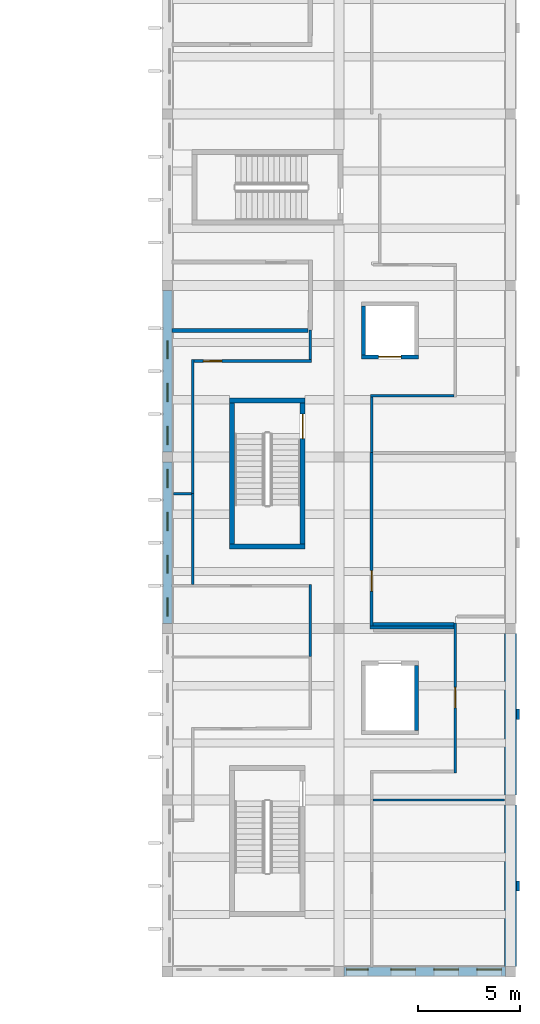
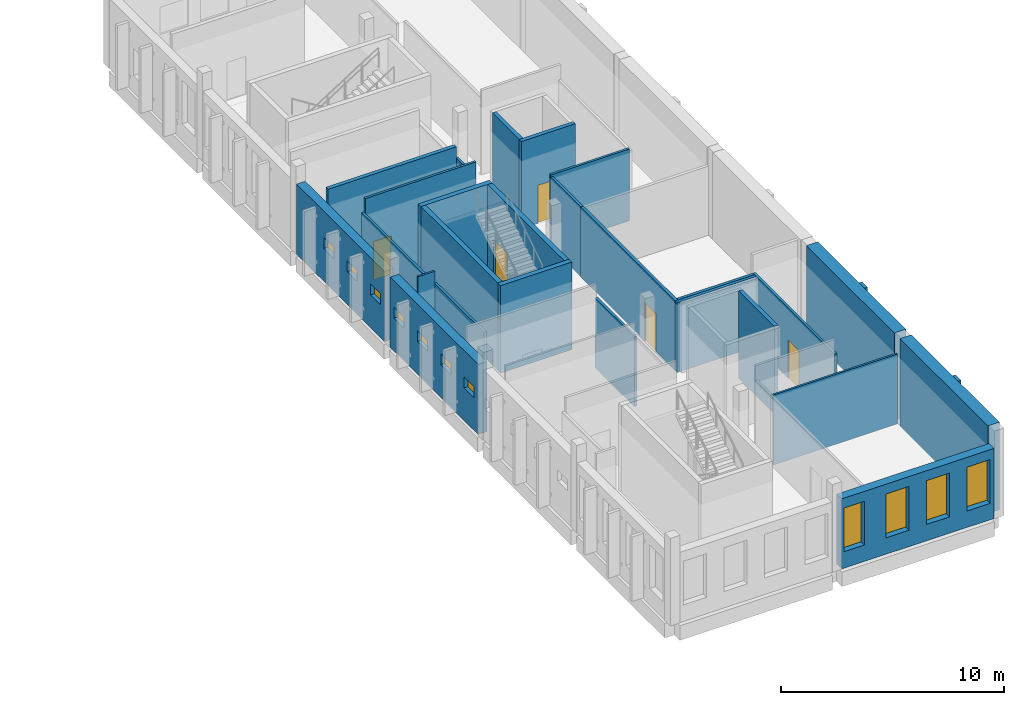
# One storey, part 10 of 37: 28 walls, 11 windows, 5 doors, 16 openings.
"""IFC4 building model written with IfcOpenShell, lengths in metres."""

from ifc_helpers import new_model, si_unit, direction, frame, frame_2d, origin, place, context, subcontext, project, spatial, rectangle, extrude, material, layer, layer_set, type_object, element, fill, save


model = new_model("IFC4")

# Units and contexts
model_context = context("Model", 3, precision=1e-05, world=origin(), true_north=direction((0.0, 1.0)))
body_context = subcontext(model_context, "Body", "Model", "MODEL_VIEW")
ifc_project = project(units=[si_unit("LENGTHUNIT", "METRE"), si_unit("AREAUNIT", "SQUARE_METRE"), si_unit("VOLUMEUNIT", "CUBIC_METRE"), si_unit("PLANEANGLEUNIT", "RADIAN"), si_unit("MASSUNIT", "GRAM", prefix="KILO")], contexts=[model_context])

# Site, building, storey
site_placement = place(None, origin())
site = spatial("IfcSite", under=ifc_project, at=site_placement, CompositionType="ELEMENT")
building_placement = place(site_placement, origin())
building = spatial("IfcBuilding", under=site, at=building_placement, Name="Larchfold Concert Hall", CompositionType="ELEMENT")
storey_placement = place(building_placement, frame((0.0, 0.0, 19.199951171875)))
storey = spatial("IfcBuildingStorey", under=building, at=storey_placement, Name="L04", CompositionType="ELEMENT", Elevation=19.199951171875)

# Wall
ifc_material_1 = material(Name="Plasterboard partition on steel studs", Category="steel")
ifc_layer_1 = layer(ifc_material_1, 0.199951171875)
ifc_layer_set_1 = layer_set([ifc_layer_1], Name="Plasterboard partition on steel studs")
wall_type_1 = type_object("IfcWallType", Name="Acoustic partition 200", PredefinedType="PARTITIONING", material=ifc_layer_set_1)
wall_1_placement = place(storey_placement, frame((84.8251953125, 32.0, 0.0), z_axis=(0.0, 0.0, 1.0), x_axis=(1.0, 0.0, 0.0)))
element("IfcWall", 1, at=wall_1_placement, inside=storey, type_object=wall_type_1, Name="Partition IW0048", PredefinedType="PARTITIONING", context=body_context, shape_type="SweptSolid", body=[
    extrude(rectangle(XDim=6.669921875, YDim=0.199951171875, at=frame_2d((3.3349609375, 0.0))), origin(), (0.0, 0.0, 1.0), 4.64013671875),
])

# Wall, opening, door
ifc_material_2 = material(Name="Plasterboard partition on steel studs", Category="steel")
ifc_layer_2 = layer(ifc_material_2, 0.125)
ifc_layer_set_2 = layer_set([ifc_layer_2], Name="Plasterboard partition on steel studs")
wall_type_2 = type_object("IfcWallType", Name="Corridor partition 125 EI 60", PredefinedType="PARTITIONING", material=ifc_layer_set_2)
wall_2_placement = place(storey_placement, frame((98.698974609375, 17.674072265625, 0.0), z_axis=(0.0, 0.0, 1.0), x_axis=(0.0, -1.0, 0.0)))
wall_2 = element("IfcWall", 2, at=wall_2_placement, inside=storey, type_object=wall_type_2, Name="Partition IW0016", PredefinedType="PARTITIONING", context=body_context, shape_type="SweptSolid", body=[
    extrude(rectangle(XDim=7.335693359375, YDim=0.125, at=frame_2d((3.66796875, 0.0))), origin(), (0.0, 0.0, 1.0), 3.840087890625),
])
opening_1_placement = place(wall_2_placement, frame((3.159423828125, 0.0, 0.0)))
opening_1 = element("IfcOpeningElement", 3, at=opening_1_placement, cuts=wall_2, Name="Opening D-L04-109", PredefinedType="OPENING", context=body_context, shape_type="SweptSolid", body=[
    extrude(rectangle(XDim=1.0, YDim=2.10009765625, at=frame_2d((0.5, 1.050048828125))), frame((0.0, 0.072509765625, 0.0), z_axis=(0.0, -1.0, 0.0), x_axis=(1.0, 0.0, 0.0)), (0.0, 0.0, 1.0), 0.14501953125),
])
ifc_material_3 = material(Name="Timber door leaf", Category="wood")
door_type_1 = type_object("IfcDoorType", Name="Dressing room door 1000 x 2100 FD30S", OperationType="SINGLE_SWING_LEFT", PredefinedType="DOOR", material=ifc_material_3)
door_1_placement = place(opening_1_placement, origin())
door_1 = element("IfcDoor", 4, at=door_1_placement, inside=storey, type_object=door_type_1, Name="Door D-L04-109", OperationType="SINGLE_SWING_LEFT", OverallHeight=2.10009765625, OverallWidth=1.0, PredefinedType="DOOR", context=body_context, shape_type="SweptSolid", body=[
    extrude(rectangle(XDim=1.0, YDim=2.10009765625, at=frame_2d((0.5, 1.050048828125))), frame((0.0, 0.02490234375, 0.0), z_axis=(0.0, -1.0, 0.0), x_axis=(1.0, 0.0, 0.0)), (0.0, 0.0, 1.0), 0.050048828125),
])
fill(opening_1, door_1)

# Walls
wall_3_placement = place(storey_placement, frame((91.60009765625, 16.02001953125, 0.0), z_axis=(0.0, 0.0, 1.0), x_axis=(-0.000344875135, 0.999999940531, 0.0)))
element("IfcWall", 5, at=wall_3_placement, inside=storey, type_object=wall_type_2, Name="Partition IW0023", PredefinedType="PARTITIONING", context=body_context, shape_type="SweptSolid", body=[
    extrude(rectangle(XDim=3.53955078125, YDim=0.125, at=frame_2d((1.769775390625, 0.0))), origin(), (0.0, 0.0, 1.0), 3.840087890625),
])
wall_4_placement = place(storey_placement, frame((85.85107421875, 19.5634765625, 0.0), z_axis=(0.0, 0.0, 1.0), x_axis=(0.0, 1.0, 0.0)))
element("IfcWall", 6, at=wall_4_placement, inside=storey, type_object=wall_type_2, Name="Partition IW0025", PredefinedType="PARTITIONING", context=body_context, shape_type="SweptSolid", body=[
    extrude(rectangle(XDim=4.45654296875, YDim=0.125, at=frame_2d((2.228271484375, 0.0))), origin(), (0.0, 0.0, 1.0), 3.93994140625),
])
wall_5_placement = place(storey_placement, frame((85.85107421875, 24.02001953125, 0.0), z_axis=(0.0, 0.0, 1.0), x_axis=(0.0, 1.0, 0.0)))
element("IfcWall", 7, at=wall_5_placement, inside=storey, type_object=wall_type_2, Name="Partition IW0030", PredefinedType="PARTITIONING", context=body_context, shape_type="SweptSolid", body=[
    extrude(rectangle(XDim=6.54150390625, YDim=0.125, at=frame_2d((3.270751953125, 0.0))), origin(), (0.0, 0.0, 1.0), 3.840087890625),
])

# Wall, opening, door
wall_6_placement = place(storey_placement, frame((85.91357421875, 30.4990234375, 0.0), z_axis=(0.0, 0.0, 1.0), x_axis=(0.999999942227, 0.00033991925, 0.0)))
wall_6 = element("IfcWall", 8, at=wall_6_placement, inside=storey, type_object=wall_type_2, Name="Partition IW0031", PredefinedType="PARTITIONING", context=body_context, shape_type="SweptSolid", body=[
    extrude(rectangle(XDim=5.745849609375, YDim=0.125, at=frame_2d((2.873046875, 0.0))), origin(), (0.0, 0.0, 1.0), 4.64013671875),
])
opening_2_placement = place(wall_6_placement, frame((0.451904296875, 0.0, 0.0)))
opening_2 = element("IfcOpeningElement", 9, at=opening_2_placement, cuts=wall_6, Name="Opening D-L04-113", PredefinedType="OPENING", context=body_context, shape_type="SweptSolid", body=[
    extrude(rectangle(XDim=0.89990234375, YDim=2.10009765625, at=frame_2d((0.449951171875, 1.050048828125))), frame((0.0, 0.072509765625, 0.0), z_axis=(0.0, -1.0, 0.0), x_axis=(1.0, 0.0, 0.0)), (0.0, 0.0, 1.0), 0.14501953125),
])
ifc_material_4 = material(Name="Timber door leaf", Category="wood")
door_type_2 = type_object("IfcDoorType", Name="Public toilet door 900 x 2100 FD30S", OperationType="SINGLE_SWING_LEFT", PredefinedType="DOOR", material=ifc_material_4)
door_2_placement = place(opening_2_placement, origin())
door_2 = element("IfcDoor", 10, at=door_2_placement, inside=storey, type_object=door_type_2, Name="Door D-L04-113", OperationType="SINGLE_SWING_RIGHT", OverallHeight=2.10009765625, OverallWidth=0.89990234375, PredefinedType="DOOR", context=body_context, shape_type="SweptSolid", body=[
    extrude(rectangle(XDim=0.89990234375, YDim=2.10009765625, at=frame_2d((0.449951171875, 1.050048828125))), frame((0.0, 0.02490234375, 0.0), z_axis=(0.0, -1.0, 0.0), x_axis=(1.0, 0.0, 0.0)), (0.0, 0.0, 1.0), 0.050048828125),
])
fill(opening_2, door_2)

# Walls
wall_7_placement = place(storey_placement, frame((91.596923828125, 30.5634765625, 0.0), z_axis=(0.0, 0.0, 1.0), x_axis=(0.000670465823, 0.999999775238, 0.0)))
element("IfcWall", 11, at=wall_7_placement, inside=storey, type_object=wall_type_2, Name="Partition IW0032", PredefinedType="PARTITIONING", context=body_context, shape_type="SweptSolid", body=[
    extrude(rectangle(XDim=1.45654296875, YDim=0.125, at=frame_2d((0.728271484375, 0.0))), origin(), (0.0, 0.0, 1.0), 3.93994140625),
])
wall_8_placement = place(storey_placement, frame((98.636474609375, 28.80078125, 0.0), z_axis=(0.0, 0.0, 1.0), x_axis=(-0.999998609293, -0.001667756332, 0.0)))
element("IfcWall", 12, at=wall_8_placement, inside=storey, type_object=wall_type_2, Name="Partition IW0041", PredefinedType="PARTITIONING", context=body_context, shape_type="SweptSolid", body=[
    extrude(rectangle(XDim=4.098876953125, YDim=0.125, at=frame_2d((2.04931640625, 0.0))), origin(), (0.0, 0.0, 1.0), 3.93994140625),
])
wall_9_placement = place(storey_placement, frame((94.60009765625, 28.7314453125, 0.0), z_axis=(0.0, 0.0, 1.0), x_axis=(0.0, -1.0, 0.0)))
element("IfcWall", 13, at=wall_9_placement, inside=storey, type_object=wall_type_2, Name="Partition IW0042", PredefinedType="PARTITIONING", context=body_context, shape_type="SweptSolid", body=[
    extrude(rectangle(XDim=2.71142578125, YDim=0.125, at=frame_2d((1.355712890625, 0.0))), origin(), (0.0, 0.0, 1.0), 3.840087890625),
])

# Wall, opening, door
ifc_material_5 = material(Name="Plasterboard partition on steel studs", Category="steel")
ifc_layer_3 = layer(ifc_material_5, 0.14990234375)
ifc_layer_set_3 = layer_set([ifc_layer_3], Name="Plasterboard partition on steel studs")
wall_type_3 = type_object("IfcWallType", Name="Shaft and plant partition 150 EI 120", PredefinedType="PARTITIONING", material=ifc_layer_set_3)
wall_10_placement = place(storey_placement, frame((94.60009765625, 26.02001953125, 0.0), z_axis=(0.0, 0.0, 1.0), x_axis=(-0.000143847635, -0.999999989654, 0.0)))
wall_10 = element("IfcWall", 14, at=wall_10_placement, inside=storey, type_object=wall_type_3, Name="Partition IW0026", PredefinedType="PARTITIONING", context=body_context, shape_type="SweptSolid", body=[
    extrude(rectangle(XDim=8.486083984375, YDim=0.14990234375, at=frame_2d((4.2431640625, 0.0))), origin(), (0.0, 0.0, 1.0), 3.840087890625),
])
opening_3_placement = place(wall_10_placement, frame((5.784912109375, 0.0, 0.0)))
opening_3 = element("IfcOpeningElement", 15, at=opening_3_placement, cuts=wall_10, Name="Opening D-L04-112", PredefinedType="OPENING", context=body_context, shape_type="SweptSolid", body=[
    extrude(rectangle(XDim=1.0, YDim=2.10009765625, at=frame_2d((0.5, 1.050048828125))), frame((0.0, 0.0849609375, 0.0), z_axis=(0.0, -1.0, 0.0), x_axis=(1.0, 0.0, 0.0)), (0.0, 0.0, 1.0), 0.169921875),
])
ifc_material_6 = material(Name="Timber door leaf", Category="wood")
door_type_3 = type_object("IfcDoorType", Name="Plant room door 1000 x 2100 FD60", OperationType="SINGLE_SWING_LEFT", PredefinedType="DOOR", material=ifc_material_6)
door_3_placement = place(opening_3_placement, origin())
door_3 = element("IfcDoor", 16, at=door_3_placement, inside=storey, type_object=door_type_3, Name="Door D-L04-112", OperationType="SINGLE_SWING_RIGHT", OverallHeight=2.10009765625, OverallWidth=1.0, PredefinedType="DOOR", context=body_context, shape_type="SweptSolid", body=[
    extrude(rectangle(XDim=1.0, YDim=2.10009765625, at=frame_2d((0.5, 1.050048828125))), frame((0.0, 0.02490234375, 0.0), z_axis=(0.0, -1.0, 0.0), x_axis=(1.0, 0.0, 0.0)), (0.0, 0.0, 1.0), 0.050048828125),
])
fill(opening_3, door_3)

# Walls
wall_11_placement = place(storey_placement, frame((94.677001953125, 17.610107421875, 0.0), z_axis=(0.0, 0.0, 1.0), x_axis=(0.999999969547, -0.0002467917, 0.0)))
element("IfcWall", 17, at=wall_11_placement, inside=storey, type_object=wall_type_3, Name="Partition IW0027", PredefinedType="PARTITIONING", context=body_context, shape_type="SweptSolid", body=[
    extrude(rectangle(XDim=3.95703125, YDim=0.14990234375, at=frame_2d((1.978515625, 0.0))), origin(), (0.0, 0.0, 1.0), 3.840087890625),
])
wall_12_placement = place(storey_placement, frame((98.624267578125, 17.45703125, 0.0), z_axis=(0.0, 0.0, 1.0), x_axis=(-0.999997563469, -0.00220750014, 0.0)))
element("IfcWall", 18, at=wall_12_placement, inside=storey, type_object=wall_type_3, Name="Partition IW0028", PredefinedType="PARTITIONING", context=body_context, shape_type="SweptSolid", body=[
    extrude(rectangle(XDim=4.092041015625, YDim=0.14990234375, at=frame_2d((2.0458984375, 0.0))), origin(), (0.0, 0.0, 1.0), 3.840087890625),
])
ifc_material_7 = material(Name="Plasterboard partition on steel studs", Category="steel")
ifc_layer_4 = layer(ifc_material_7, 0.10009765625)
ifc_layer_set_4 = layer_set([ifc_layer_4], Name="Plasterboard partition on steel studs")
wall_type_4 = type_object("IfcWallType", Name="Stud partition 100", PredefinedType="PARTITIONING", material=ifc_layer_set_4)
wall_13_placement = place(storey_placement, frame((94.6650390625, 9.0, 0.0), z_axis=(0.0, 0.0, 1.0), x_axis=(1.0, 0.0, 0.0)))
element("IfcWall", 19, at=wall_13_placement, inside=storey, type_object=wall_type_4, Name="Partition IW0043", PredefinedType="PARTITIONING", context=body_context, shape_type="SweptSolid", body=[
    extrude(rectangle(XDim=6.43505859375, YDim=0.10009765625, at=frame_2d((3.217529296875, 0.0))), origin(), (0.0, 0.0, 1.0), 3.840087890625),
])
wall_14_placement = place(storey_placement, frame((84.89990234375, 24.0, 0.0), z_axis=(0.0, 0.0, 1.0), x_axis=(1.0, 0.0, 0.0)))
element("IfcWall", 20, at=wall_14_placement, inside=storey, type_object=wall_type_4, Name="Partition IW0046", PredefinedType="PARTITIONING", context=body_context, shape_type="SweptSolid", body=[
    extrude(rectangle(XDim=0.885009765625, YDim=0.10009765625, at=frame_2d((0.4423828125, 0.0))), origin(), (0.0, 0.0, 1.0), 4.64013671875),
])
ifc_material_8 = material(Name="Concrete C40/50", Category="concrete")
ifc_layer_5 = layer(ifc_material_8, 0.199951171875)
ifc_layer_set_5 = layer_set([ifc_layer_5], Name="Concrete C40/50")
wall_type_5 = type_object("IfcWallType", Name="Wall RC 200 lift shaft", PredefinedType="SOLIDWALL", material=ifc_layer_set_5)
wall_15_placement = place(storey_placement, frame((96.7998046875, 12.39990234375, 0.0), z_axis=(0.0, 0.0, 1.0), x_axis=(0.0, 1.0, 0.0)))
element("IfcWall", 21, at=wall_15_placement, inside=storey, type_object=wall_type_5, Name="Wall W0109", PredefinedType="SOLIDWALL", context=body_context, shape_type="SweptSolid", body=[
    extrude(rectangle(XDim=3.2001953125, YDim=0.199951171875, at=frame_2d((1.60009765625, 0.0))), origin(), (0.0, 0.0, 1.0), 4.800048828125),
])

# Wall, opening, door
wall_16_placement = place(storey_placement, frame((94.10009765625, 30.7001953125, 0.0), z_axis=(0.0, 0.0, 1.0), x_axis=(1.0, 0.0, 0.0)))
wall_16 = element("IfcWall", 22, at=wall_16_placement, inside=storey, type_object=wall_type_5, Name="Wall W0110", PredefinedType="SOLIDWALL", context=body_context, shape_type="SweptSolid", body=[
    extrude(rectangle(XDim=2.7998046875, YDim=0.199951171875, at=frame_2d((1.39990234375, 0.0))), origin(), (0.0, 0.0, 1.0), 4.800048828125),
])
opening_4_placement = place(wall_16_placement, frame((0.849853515625, 0.0, 0.0)))
opening_4 = element("IfcOpeningElement", 23, at=opening_4_placement, cuts=wall_16, Name="Opening LD-LF07", PredefinedType="OPENING", context=body_context, shape_type="SweptSolid", body=[
    extrude(rectangle(XDim=1.10009765625, YDim=2.10009765625, at=frame_2d((0.550048828125, 1.050048828125))), frame((0.0, 0.10986328125, 0.0), z_axis=(0.0, -1.0, 0.0), x_axis=(1.0, 0.0, 0.0)), (0.0, 0.0, 1.0), 0.219970703125),
])
ifc_material_9 = material(Name="Stainless steel sliding leaves", Category="steel")
door_type_4 = type_object("IfcDoorType", Name="Lift landing door sliding 1100 x 2100", OperationType="SLIDING_TO_LEFT", PredefinedType="DOOR", material=ifc_material_9)
door_4_placement = place(opening_4_placement, origin())
door_4 = element("IfcDoor", 24, at=door_4_placement, inside=storey, type_object=door_type_4, Name="Lift landing door LF07", OperationType="SLIDING_TO_LEFT", OverallHeight=2.10009765625, OverallWidth=1.10009765625, PredefinedType="DOOR", context=body_context, shape_type="SweptSolid", body=[
    extrude(rectangle(XDim=1.10009765625, YDim=2.10009765625, at=frame_2d((0.550048828125, 1.050048828125))), frame((0.0, 0.02490234375, 0.0), z_axis=(0.0, -1.0, 0.0), x_axis=(1.0, 0.0, 0.0)), (0.0, 0.0, 1.0), 0.050048828125),
])
fill(opening_4, door_4)

# Walls
wall_17_placement = place(storey_placement, frame((94.2001953125, 30.800048828125, 0.0), z_axis=(0.0, 0.0, 1.0), x_axis=(0.0, 1.0, 0.0)))
element("IfcWall", 25, at=wall_17_placement, inside=storey, type_object=wall_type_5, Name="Wall W0112", PredefinedType="SOLIDWALL", context=body_context, shape_type="SweptSolid", body=[
    extrude(rectangle(XDim=2.39990234375, YDim=0.199951171875, at=frame_2d((1.199951171875, 0.0))), origin(), (0.0, 0.0, 1.0), 4.800048828125),
])
ifc_material_10 = material(Name="Concrete C40/50", Category="concrete")
ifc_layer_6 = layer(ifc_material_10, 0.25)
ifc_layer_set_6 = layer_set([ifc_layer_6], Name="Concrete C40/50")
wall_type_6 = type_object("IfcWallType", Name="Wall RC 250 stair core", PredefinedType="SOLIDWALL", material=ifc_layer_set_6)
for number, where, z_axis, x_axis, name in (
    (26, (87.64990234375, 21.425048828125, 0.0), (0.0, 0.0, 1.0), (1.0, 0.0, 0.0), "Wall W0078"),
    (27, (87.64990234375, 28.574951171875, 0.0), (0.0, 0.0, 1.0), (1.0, 0.0, 0.0), "Wall W0079"),
):
    element("IfcWall", number, at=place(storey_placement, frame(where, z_axis=z_axis, x_axis=x_axis)), inside=storey, type_object=wall_type_6, Name=name, PredefinedType="SOLIDWALL", context=body_context, shape_type="SweptSolid", body=[
        extrude(rectangle(XDim=3.7001953125, YDim=0.25, at=frame_2d((1.85009765625, 0.0))), origin(), (0.0, 0.0, 1.0), 4.800048828125),
    ])
wall_18_placement = place(storey_placement, frame((87.77490234375, 21.550048828125, 0.0), z_axis=(0.0, 0.0, 1.0), x_axis=(0.0, 1.0, 0.0)))
element("IfcWall", 28, at=wall_18_placement, inside=storey, type_object=wall_type_6, Name="Wall W0080", PredefinedType="SOLIDWALL", context=body_context, shape_type="SweptSolid", body=[
    extrude(rectangle(XDim=6.89990234375, YDim=0.25, at=frame_2d((3.449951171875, 0.0))), origin(), (0.0, 0.0, 1.0), 4.800048828125),
])

# Wall, opening, door
wall_19_placement = place(storey_placement, frame((91.22509765625, 21.550048828125, 0.0), z_axis=(0.0, 0.0, 1.0), x_axis=(0.0, 1.0, 0.0)))
wall_19 = element("IfcWall", 29, at=wall_19_placement, inside=storey, type_object=wall_type_6, Name="Wall W0081", PredefinedType="SOLIDWALL", context=body_context, shape_type="SweptSolid", body=[
    extrude(rectangle(XDim=6.89990234375, YDim=0.25, at=frame_2d((3.449951171875, 0.0))), origin(), (0.0, 0.0, 1.0), 4.800048828125),
])
opening_5_placement = place(wall_19_placement, frame((5.14990234375, 0.0, 0.0)))
opening_5 = element("IfcOpeningElement", 30, at=opening_5_placement, cuts=wall_19, Name="Opening D-L04-130", PredefinedType="OPENING", context=body_context, shape_type="SweptSolid", body=[
    extrude(rectangle(XDim=1.199951171875, YDim=2.10009765625, at=frame_2d((0.60009765625, 1.050048828125))), frame((0.0, 0.135009765625, 0.0), z_axis=(0.0, -1.0, 0.0), x_axis=(1.0, 0.0, 0.0)), (0.0, 0.0, 1.0), 0.27001953125),
])
ifc_material_11 = material(Name="Timber door leaf", Category="wood")
door_type_5 = type_object("IfcDoorType", Name="Stair enclosure door pair 1200 x 2100 FD60", OperationType="SINGLE_SWING_LEFT", PredefinedType="DOOR", material=ifc_material_11)
door_5_placement = place(opening_5_placement, origin())
door_5 = element("IfcDoor", 31, at=door_5_placement, inside=storey, type_object=door_type_5, Name="Door D-L04-130", OperationType="DOUBLE_DOOR_SINGLE_SWING", OverallHeight=2.10009765625, OverallWidth=1.199951171875, PredefinedType="DOOR", context=body_context, shape_type="SweptSolid", body=[
    extrude(rectangle(XDim=1.199951171875, YDim=2.10009765625, at=frame_2d((0.60009765625, 1.050048828125))), frame((0.0, 0.02490234375, 0.0), z_axis=(0.0, -1.0, 0.0), x_axis=(1.0, 0.0, 0.0)), (0.0, 0.0, 1.0), 0.050048828125),
])
fill(opening_5, door_5)

# Walls
ifc_material_12 = material(Name="Concrete C40/50", Category="concrete")
ifc_layer_7 = layer(ifc_material_12, 0.60009765625)
ifc_layer_set_7 = layer_set([ifc_layer_7], Name="Concrete C40/50")
wall_type_7 = type_object("IfcWallType", Name="Wall RC 600 party wall", PredefinedType="SOLIDWALL", material=ifc_layer_set_7)
for number, where, z_axis, x_axis, name in (
    (32, (101.39990234375, 0.85009765625, 0.0), (0.0, 0.0, 1.0), (0.0, 1.0, 0.0), "Wall W0020"),
    (33, (101.39990234375, 9.25, 0.0), (0.0, 0.0, 1.0), (0.0, 1.0, 0.0), "Wall W0021"),
):
    element("IfcWall", number, at=place(storey_placement, frame(where, z_axis=z_axis, x_axis=x_axis)), inside=storey, type_object=wall_type_7, Name=name, PredefinedType="SOLIDWALL", context=body_context, shape_type="SweptSolid", body=[
        extrude(rectangle(XDim=7.89990234375, YDim=0.60009765625, at=frame_2d((3.949951171875, 0.0))), origin(), (0.0, 0.0, 1.0), 4.800048828125),
    ])

# Wall, openings, windows
ifc_material_13 = material(Name="White render on mineral wool and block")
ifc_layer_8 = layer(ifc_material_13, 0.449951171875)
ifc_layer_set_8 = layer_set([ifc_layer_8], Name="White render on mineral wool and block")
wall_type_8 = type_object("IfcWallType", Name="White render infill wall 450", PredefinedType="SOLIDWALL", material=ifc_layer_set_8)
wall_20_placement = place(storey_placement, frame((84.60009765625, 33.949951171875, 0.0), z_axis=(0.0, 0.0, 1.0), x_axis=(0.0, -1.0, 0.0)))
wall_20 = element("IfcWall", 34, at=wall_20_placement, inside=storey, type_object=wall_type_8, Name="Infill wall W5170", PredefinedType="SOLIDWALL", context=body_context, shape_type="SweptSolid", body=[
    extrude(rectangle(XDim=7.89990234375, YDim=0.449951171875, at=frame_2d((3.949951171875, 0.0))), origin(), (0.0, 0.0, 1.0), 3.840087890625),
])
opening_6_placement = place(wall_20_placement, frame((6.64990234375, 0.0, 1.800048828125)))
opening_6 = element("IfcOpeningElement", 35, at=opening_6_placement, cuts=wall_20, Name="Opening WN-L04-030", PredefinedType="OPENING", context=body_context, shape_type="SweptSolid", body=[
    extrude(rectangle(XDim=0.89990234375, YDim=0.60009765625, at=frame_2d((0.449951171875, 0.300048828125))), frame((0.0, 0.23486328125, 0.0), z_axis=(0.0, -1.0, 0.0), x_axis=(1.0, 0.0, 0.0)), (0.0, 0.0, 1.0), 0.469970703125),
])
opening_7_placement = place(wall_20_placement, frame((4.550048828125, 0.0, 1.800048828125)))
opening_7 = element("IfcOpeningElement", 36, at=opening_7_placement, cuts=wall_20, Name="Opening WN-L04-031", PredefinedType="OPENING", context=body_context, shape_type="SweptSolid", body=[
    extrude(rectangle(XDim=0.89990234375, YDim=0.60009765625, at=frame_2d((0.449951171875, 0.300048828125))), frame((0.0, 0.23486328125, 0.0), z_axis=(0.0, -1.0, 0.0), x_axis=(1.0, 0.0, 0.0)), (0.0, 0.0, 1.0), 0.469970703125),
])
opening_8_placement = place(wall_20_placement, frame((2.449951171875, 0.0, 1.800048828125)))
opening_8 = element("IfcOpeningElement", 37, at=opening_8_placement, cuts=wall_20, Name="Opening WN-L04-032", PredefinedType="OPENING", context=body_context, shape_type="SweptSolid", body=[
    extrude(rectangle(XDim=0.89990234375, YDim=0.60009765625, at=frame_2d((0.449951171875, 0.300048828125))), frame((0.0, 0.23486328125, 0.0), z_axis=(0.0, -1.0, 0.0), x_axis=(1.0, 0.0, 0.0)), (0.0, 0.0, 1.0), 0.469970703125),
])
ifc_material_14 = material(Name="Anodised graphite aluminium frame with obscured glass", Category="aluminium")
window_type_1 = type_object("IfcWindowType", Name="Toilet high window 900x600", PartitioningType="SINGLE_PANEL", PredefinedType="WINDOW", material=ifc_material_14)
window_1_placement = place(opening_6_placement, origin())
window_1 = element("IfcWindow", 38, at=window_1_placement, inside=storey, type_object=window_type_1, Name="Window WN-L04-030", OverallHeight=0.60009765625, OverallWidth=0.89990234375, PartitioningType="SINGLE_PANEL", PredefinedType="WINDOW", context=body_context, shape_type="SweptSolid", body=[
    extrude(rectangle(XDim=0.89990234375, YDim=0.60009765625, at=frame_2d((0.449951171875, 0.300048828125))), frame((0.0, 0.034912109375, 0.0), z_axis=(0.0, -1.0, 0.0), x_axis=(1.0, 0.0, 0.0)), (0.0, 0.0, 1.0), 0.06005859375),
])
fill(opening_6, window_1)
window_2_placement = place(opening_7_placement, origin())
window_2 = element("IfcWindow", 39, at=window_2_placement, inside=storey, type_object=window_type_1, Name="Window WN-L04-031", OverallHeight=0.60009765625, OverallWidth=0.89990234375, PartitioningType="SINGLE_PANEL", PredefinedType="WINDOW", context=body_context, shape_type="SweptSolid", body=[
    extrude(rectangle(XDim=0.89990234375, YDim=0.60009765625, at=frame_2d((0.449951171875, 0.300048828125))), frame((0.0, 0.034912109375, 0.0), z_axis=(0.0, -1.0, 0.0), x_axis=(1.0, 0.0, 0.0)), (0.0, 0.0, 1.0), 0.06005859375),
])
fill(opening_7, window_2)
window_3_placement = place(opening_8_placement, origin())
window_3 = element("IfcWindow", 40, at=window_3_placement, inside=storey, type_object=window_type_1, Name="Window WN-L04-032", OverallHeight=0.60009765625, OverallWidth=0.89990234375, PartitioningType="SINGLE_PANEL", PredefinedType="WINDOW", context=body_context, shape_type="SweptSolid", body=[
    extrude(rectangle(XDim=0.89990234375, YDim=0.60009765625, at=frame_2d((0.449951171875, 0.300048828125))), frame((0.0, 0.034912109375, 0.0), z_axis=(0.0, -1.0, 0.0), x_axis=(1.0, 0.0, 0.0)), (0.0, 0.0, 1.0), 0.06005859375),
])
fill(opening_8, window_3)

wall_21_placement = place(storey_placement, frame((84.60009765625, 25.550048828125, 0.0), z_axis=(0.0, 0.0, 1.0), x_axis=(0.0, -1.0, 0.0)))
wall_21 = element("IfcWall", 41, at=wall_21_placement, inside=storey, type_object=wall_type_8, Name="Infill wall W5171", PredefinedType="SOLIDWALL", context=body_context, shape_type="SweptSolid", body=[
    extrude(rectangle(XDim=7.900146484375, YDim=0.449951171875, at=frame_2d((3.9501953125, 0.0))), origin(), (0.0, 0.0, 1.0), 3.840087890625),
])
opening_9_placement = place(wall_21_placement, frame((6.650146484375, 0.0, 1.800048828125)))
opening_9 = element("IfcOpeningElement", 42, at=opening_9_placement, cuts=wall_21, Name="Opening WN-L04-033", PredefinedType="OPENING", context=body_context, shape_type="SweptSolid", body=[
    extrude(rectangle(XDim=0.89990234375, YDim=0.60009765625, at=frame_2d((0.449951171875, 0.300048828125))), frame((0.0, 0.23486328125, 0.0), z_axis=(0.0, -1.0, 0.0), x_axis=(1.0, 0.0, 0.0)), (0.0, 0.0, 1.0), 0.469970703125),
])
opening_10_placement = place(wall_21_placement, frame((4.550048828125, 0.0, 1.800048828125)))
opening_10 = element("IfcOpeningElement", 43, at=opening_10_placement, cuts=wall_21, Name="Opening WN-L04-034", PredefinedType="OPENING", context=body_context, shape_type="SweptSolid", body=[
    extrude(rectangle(XDim=0.89990234375, YDim=0.60009765625, at=frame_2d((0.449951171875, 0.300048828125))), frame((0.0, 0.23486328125, 0.0), z_axis=(0.0, -1.0, 0.0), x_axis=(1.0, 0.0, 0.0)), (0.0, 0.0, 1.0), 0.469970703125),
])
opening_11_placement = place(wall_21_placement, frame((2.449951171875, 0.0, 1.800048828125)))
opening_11 = element("IfcOpeningElement", 44, at=opening_11_placement, cuts=wall_21, Name="Opening WN-L04-035", PredefinedType="OPENING", context=body_context, shape_type="SweptSolid", body=[
    extrude(rectangle(XDim=0.89990234375, YDim=0.60009765625, at=frame_2d((0.449951171875, 0.300048828125))), frame((0.0, 0.23486328125, 0.0), z_axis=(0.0, -1.0, 0.0), x_axis=(1.0, 0.0, 0.0)), (0.0, 0.0, 1.0), 0.469970703125),
])
opening_12_placement = place(wall_21_placement, frame((0.35009765625, 0.0, 1.800048828125)))
opening_12 = element("IfcOpeningElement", 45, at=opening_12_placement, cuts=wall_21, Name="Opening WN-L04-036", PredefinedType="OPENING", context=body_context, shape_type="SweptSolid", body=[
    extrude(rectangle(XDim=0.89990234375, YDim=0.60009765625, at=frame_2d((0.449951171875, 0.300048828125))), frame((0.0, 0.23486328125, 0.0), z_axis=(0.0, -1.0, 0.0), x_axis=(1.0, 0.0, 0.0)), (0.0, 0.0, 1.0), 0.469970703125),
])
window_4_placement = place(opening_9_placement, origin())
window_4 = element("IfcWindow", 46, at=window_4_placement, inside=storey, type_object=window_type_1, Name="Window WN-L04-033", OverallHeight=0.60009765625, OverallWidth=0.89990234375, PartitioningType="SINGLE_PANEL", PredefinedType="WINDOW", context=body_context, shape_type="SweptSolid", body=[
    extrude(rectangle(XDim=0.89990234375, YDim=0.60009765625, at=frame_2d((0.449951171875, 0.300048828125))), frame((0.0, 0.034912109375, 0.0), z_axis=(0.0, -1.0, 0.0), x_axis=(1.0, 0.0, 0.0)), (0.0, 0.0, 1.0), 0.06005859375),
])
fill(opening_9, window_4)
window_5_placement = place(opening_10_placement, origin())
window_5 = element("IfcWindow", 47, at=window_5_placement, inside=storey, type_object=window_type_1, Name="Window WN-L04-034", OverallHeight=0.60009765625, OverallWidth=0.89990234375, PartitioningType="SINGLE_PANEL", PredefinedType="WINDOW", context=body_context, shape_type="SweptSolid", body=[
    extrude(rectangle(XDim=0.89990234375, YDim=0.60009765625, at=frame_2d((0.449951171875, 0.300048828125))), frame((0.0, 0.034912109375, 0.0), z_axis=(0.0, -1.0, 0.0), x_axis=(1.0, 0.0, 0.0)), (0.0, 0.0, 1.0), 0.06005859375),
])
fill(opening_10, window_5)
window_6_placement = place(opening_11_placement, origin())
window_6 = element("IfcWindow", 48, at=window_6_placement, inside=storey, type_object=window_type_1, Name="Window WN-L04-035", OverallHeight=0.60009765625, OverallWidth=0.89990234375, PartitioningType="SINGLE_PANEL", PredefinedType="WINDOW", context=body_context, shape_type="SweptSolid", body=[
    extrude(rectangle(XDim=0.89990234375, YDim=0.60009765625, at=frame_2d((0.449951171875, 0.300048828125))), frame((0.0, 0.034912109375, 0.0), z_axis=(0.0, -1.0, 0.0), x_axis=(1.0, 0.0, 0.0)), (0.0, 0.0, 1.0), 0.06005859375),
])
fill(opening_11, window_6)
window_7_placement = place(opening_12_placement, origin())
window_7 = element("IfcWindow", 49, at=window_7_placement, inside=storey, type_object=window_type_1, Name="Window WN-L04-036", OverallHeight=0.60009765625, OverallWidth=0.89990234375, PartitioningType="SINGLE_PANEL", PredefinedType="WINDOW", context=body_context, shape_type="SweptSolid", body=[
    extrude(rectangle(XDim=0.89990234375, YDim=0.60009765625, at=frame_2d((0.449951171875, 0.300048828125))), frame((0.0, 0.034912109375, 0.0), z_axis=(0.0, -1.0, 0.0), x_axis=(1.0, 0.0, 0.0)), (0.0, 0.0, 1.0), 0.06005859375),
])
fill(opening_12, window_7)

wall_22_placement = place(storey_placement, frame((93.25, 0.60009765625, 0.0), z_axis=(0.0, 0.0, 1.0), x_axis=(1.0, 0.0, 0.0)))
wall_22 = element("IfcWall", 50, at=wall_22_placement, inside=storey, type_object=wall_type_8, Name="Infill wall W5175", PredefinedType="SOLIDWALL", context=body_context, shape_type="SweptSolid", body=[
    extrude(rectangle(XDim=7.89990234375, YDim=0.449951171875, at=frame_2d((3.949951171875, 0.0))), origin(), (0.0, 0.0, 1.0), 3.840087890625),
])
opening_13_placement = place(wall_22_placement, frame((0.128662109375, 0.0, 0.89990234375)))
opening_13 = element("IfcOpeningElement", 51, at=opening_13_placement, cuts=wall_22, Name="Opening WN-L04-049", PredefinedType="OPENING", context=body_context, shape_type="SweptSolid", body=[
    extrude(rectangle(XDim=1.050048828125, YDim=2.39990234375, at=frame_2d((0.52490234375, 1.199951171875))), frame((0.0, 0.23486328125, 0.0), z_axis=(0.0, -1.0, 0.0), x_axis=(1.0, 0.0, 0.0)), (0.0, 0.0, 1.0), 0.469970703125),
])
opening_14_placement = place(wall_22_placement, frame((2.300048828125, 0.0, 0.89990234375)))
opening_14 = element("IfcOpeningElement", 52, at=opening_14_placement, cuts=wall_22, Name="Opening WN-L04-050", PredefinedType="OPENING", context=body_context, shape_type="SweptSolid", body=[
    extrude(rectangle(XDim=1.199951171875, YDim=2.39990234375, at=frame_2d((0.60009765625, 1.199951171875))), frame((0.0, 0.23486328125, 0.0), z_axis=(0.0, -1.0, 0.0), x_axis=(1.0, 0.0, 0.0)), (0.0, 0.0, 1.0), 0.469970703125),
])
opening_15_placement = place(wall_22_placement, frame((4.39990234375, 0.0, 0.89990234375)))
opening_15 = element("IfcOpeningElement", 53, at=opening_15_placement, cuts=wall_22, Name="Opening WN-L04-051", PredefinedType="OPENING", context=body_context, shape_type="SweptSolid", body=[
    extrude(rectangle(XDim=1.199951171875, YDim=2.39990234375, at=frame_2d((0.60009765625, 1.199951171875))), frame((0.0, 0.23486328125, 0.0), z_axis=(0.0, -1.0, 0.0), x_axis=(1.0, 0.0, 0.0)), (0.0, 0.0, 1.0), 0.469970703125),
])
opening_16_placement = place(wall_22_placement, frame((6.5, 0.0, 0.89990234375)))
opening_16 = element("IfcOpeningElement", 54, at=opening_16_placement, cuts=wall_22, Name="Opening WN-L04-052", PredefinedType="OPENING", context=body_context, shape_type="SweptSolid", body=[
    extrude(rectangle(XDim=1.199951171875, YDim=2.39990234375, at=frame_2d((0.60009765625, 1.199951171875))), frame((0.0, 0.23486328125, 0.0), z_axis=(0.0, -1.0, 0.0), x_axis=(1.0, 0.0, 0.0)), (0.0, 0.0, 1.0), 0.469970703125),
])
ifc_material_15 = material(Name="Anodised graphite aluminium frame with glass", Category="aluminium")
window_type_2 = type_object("IfcWindowType", Name="Slot window 1050x2400", PartitioningType="SINGLE_PANEL", PredefinedType="WINDOW", material=ifc_material_15)
window_8_placement = place(opening_13_placement, origin())
window_8 = element("IfcWindow", 55, at=window_8_placement, inside=storey, type_object=window_type_2, Name="Window WN-L04-049", OverallHeight=2.39990234375, OverallWidth=1.050048828125, PartitioningType="SINGLE_PANEL", PredefinedType="WINDOW", context=body_context, shape_type="SweptSolid", body=[
    extrude(rectangle(XDim=1.050048828125, YDim=2.39990234375, at=frame_2d((0.52490234375, 1.199951171875))), frame((0.0, 0.135009765625, 0.0), z_axis=(0.0, -1.0, 0.0), x_axis=(1.0, 0.0, 0.0)), (0.0, 0.0, 1.0), 0.06005859375),
])
fill(opening_13, window_8)
ifc_material_16 = material(Name="Anodised graphite aluminium frame with glass", Category="aluminium")
window_type_3 = type_object("IfcWindowType", Name="Slot window 1200x2400", PartitioningType="SINGLE_PANEL", PredefinedType="WINDOW", material=ifc_material_16)
window_9_placement = place(opening_14_placement, origin())
window_9 = element("IfcWindow", 56, at=window_9_placement, inside=storey, type_object=window_type_3, Name="Window WN-L04-050", OverallHeight=2.39990234375, OverallWidth=1.199951171875, PartitioningType="SINGLE_PANEL", PredefinedType="WINDOW", context=body_context, shape_type="SweptSolid", body=[
    extrude(rectangle(XDim=1.199951171875, YDim=2.39990234375, at=frame_2d((0.60009765625, 1.199951171875))), frame((0.0, 0.135009765625, 0.0), z_axis=(0.0, -1.0, 0.0), x_axis=(1.0, 0.0, 0.0)), (0.0, 0.0, 1.0), 0.06005859375),
])
fill(opening_14, window_9)
window_10_placement = place(opening_15_placement, origin())
window_10 = element("IfcWindow", 57, at=window_10_placement, inside=storey, type_object=window_type_3, Name="Window WN-L04-051", OverallHeight=2.39990234375, OverallWidth=1.199951171875, PartitioningType="SINGLE_PANEL", PredefinedType="WINDOW", context=body_context, shape_type="SweptSolid", body=[
    extrude(rectangle(XDim=1.199951171875, YDim=2.39990234375, at=frame_2d((0.60009765625, 1.199951171875))), frame((0.0, 0.135009765625, 0.0), z_axis=(0.0, -1.0, 0.0), x_axis=(1.0, 0.0, 0.0)), (0.0, 0.0, 1.0), 0.06005859375),
])
fill(opening_15, window_10)
window_11_placement = place(opening_16_placement, origin())
window_11 = element("IfcWindow", 58, at=window_11_placement, inside=storey, type_object=window_type_3, Name="Window WN-L04-052", OverallHeight=2.39990234375, OverallWidth=1.199951171875, PartitioningType="SINGLE_PANEL", PredefinedType="WINDOW", context=body_context, shape_type="SweptSolid", body=[
    extrude(rectangle(XDim=1.199951171875, YDim=2.39990234375, at=frame_2d((0.60009765625, 1.199951171875))), frame((0.0, 0.135009765625, 0.0), z_axis=(0.0, -1.0, 0.0), x_axis=(1.0, 0.0, 0.0)), (0.0, 0.0, 1.0), 0.06005859375),
])
fill(opening_16, window_11)

# Walls
ifc_material_17 = material(Name="White render on insulated block")
ifc_layer_9 = layer(ifc_material_17, 0.14990234375)
ifc_layer_set_9 = layer_set([ifc_layer_9], Name="White render on insulated block")
wall_type_9 = type_object("IfcWallType", Name="White render pilaster 150", PredefinedType="SOLIDWALL", material=ifc_layer_set_9)
for number, where, z_axis, x_axis, name in (
    (59, (101.77490234375, 4.550048828125, 0.0), (0.0, 0.0, 1.0), (0.0, 1.0, 0.0), "Pilaster W5365"),
    (60, (101.77490234375, 12.949951171875, 0.0), (0.0, 0.0, 1.0), (0.0, 1.0, 0.0), "Pilaster W5366"),
):
    element("IfcWall", number, at=place(storey_placement, frame(where, z_axis=z_axis, x_axis=x_axis)), inside=storey, type_object=wall_type_9, Name=name, PredefinedType="SOLIDWALL", context=body_context, shape_type="SweptSolid", body=[
        extrude(rectangle(XDim=0.5, YDim=0.14990234375, at=frame_2d((0.25, 0.0))), origin(), (0.0, 0.0, 1.0), 4.800048828125),
    ])

save(model, "model.ifc")
